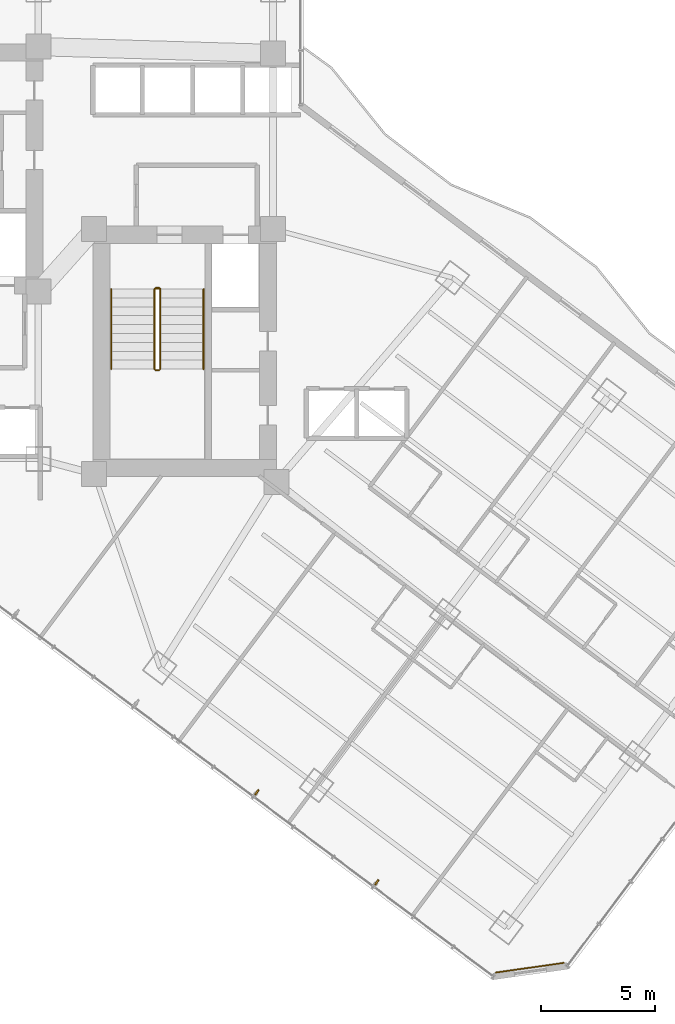
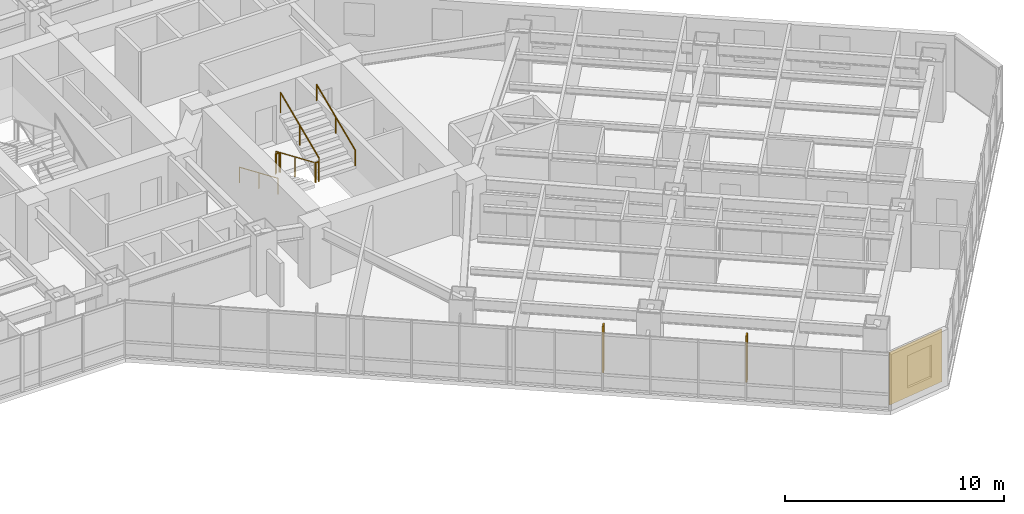
# One storey, part 35 of 38: 7 railings, 2 shading devices, 1 covering.
"""IFC4 building model written with IfcOpenShell, lengths in metres."""

import ifcopenshell
import ifcopenshell.guid

model = None  # the IFC model being written
_history = None  # IfcOwnerHistory: only IFC2X3 demands one
_inside = {}  # id of a spatial element -> (the spatial element, [elements in it])
_under = {}  # id of a project, library or spatial element -> (it, [spatial elements below it])
_declared = {}  # id of a project -> (the project, [libraries it declares])
_typed = {}  # id of a type object -> (the type object, [elements of that type])
_made_of = {}  # id of a material, layer set ... -> (it, [elements and type objects made of it])


def new_model(schema):
    """Start an empty IFC model of exactly this schema.

    Asked for "IFC4X3", IfcOpenShell would pick the latest addendum, in which some entities
    have other attributes; the version numbers below select the first issue.
    IFC2X3 requires an IfcOwnerHistory on every rooted entity: one is made here for all.
    """
    global model, _history
    if schema == "IFC4X3":
        model = ifcopenshell.file(schema_version=(4, 3, 0, 0))
    else:
        model = ifcopenshell.file(schema=schema)
    _inside.clear()
    _under.clear()
    _declared.clear()
    _typed.clear()
    _made_of.clear()
    _history = None
    if model.schema == "IFC2X3":
        org = make("IfcOrganization", Name="unknown")
        user = make(
            "IfcPersonAndOrganization",
            ThePerson=make("IfcPerson", FamilyName="unknown"),
            TheOrganization=org,
        )
        app = make(
            "IfcApplication",
            ApplicationDeveloper=org,
            Version="unknown",
            ApplicationFullName="unknown",
            ApplicationIdentifier="unknown",
        )
        _history = make(
            "IfcOwnerHistory",
            OwningUser=user,
            OwningApplication=app,
            ChangeAction="ADDED",
            CreationDate=0,
        )
    return model


def make(cls, **values):
    """One entity of the class cls with the attributes given. An attribute that is None is left unset."""
    return model.create_entity(
        cls, **{name: value for name, value in values.items() if value is not None}
    )


def rooted(cls, **values):
    """An entity with a GlobalId (a new one), such as an element, a storey or a relation."""
    return make(cls, GlobalId=ifcopenshell.guid.new(), OwnerHistory=_history, **values)


def si_unit(unit_type, name, prefix=None):
    """IfcSIUnit, for example si_unit("LENGTHUNIT", "METRE", prefix="MILLI")."""
    return make("IfcSIUnit", UnitType=unit_type, Prefix=prefix, Name=name)


def assignment(units):
    """IfcUnitAssignment: the units of a project."""
    return None if units is None else make("IfcUnitAssignment", Units=units)


def point(xyz):
    """IfcCartesianPoint."""
    return None if xyz is None else make("IfcCartesianPoint", Coordinates=xyz)


def direction(xyz):
    """IfcDirection."""
    return None if xyz is None else make("IfcDirection", DirectionRatios=xyz)


def frame(location, z_axis=None, x_axis=None):
    """IfcAxis2Placement3D, a coordinate frame: its origin and axes. An axis left out is left unset."""
    return make(
        "IfcAxis2Placement3D",
        Location=point(location),
        Axis=direction(z_axis),
        RefDirection=direction(x_axis),
    )


def frame_2d(location, x_axis=None):
    """IfcAxis2Placement2D, a coordinate frame in the plane: its origin and x axis."""
    return make(
        "IfcAxis2Placement2D", Location=point(location), RefDirection=direction(x_axis)
    )


def origin():
    """The frame at (0, 0, 0) with its axes left unset."""
    return frame((0.0, 0.0, 0.0))


def origin_2d():
    """The frame at (0, 0) in the plane with its x axis left unset."""
    return frame_2d((0.0, 0.0))


def place(relative_to, where):
    """IfcLocalPlacement: puts the frame where relative to a parent placement (None: the world)."""
    return make(
        "IfcLocalPlacement", PlacementRelTo=relative_to, RelativePlacement=where
    )


def context(
    kind, dimensions, precision=None, world=None, true_north=None, identifier=None
):
    """IfcGeometricRepresentationContext, for example the 3D "Model" context."""
    return make(
        "IfcGeometricRepresentationContext",
        ContextIdentifier=identifier,
        ContextType=kind,
        CoordinateSpaceDimension=dimensions,
        Precision=precision,
        WorldCoordinateSystem=world,
        TrueNorth=true_north,
    )


def subcontext(parent, identifier, kind, view, scale=None):
    """IfcGeometricRepresentationSubContext, for example "Body" below "Model"."""
    return make(
        "IfcGeometricRepresentationSubContext",
        ContextIdentifier=identifier,
        ContextType=kind,
        ParentContext=parent,
        TargetScale=scale,
        TargetView=view,
    )


def project(units=None, contexts=None):
    """IfcProject with its units and contexts."""
    return rooted(
        "IfcProject",
        Name="project",
        RepresentationContexts=contexts,
        UnitsInContext=assignment(units),
    )


def spatial(cls, under=None, at=None, **own):
    """A site, building, storey or space (cls), placed at a placement, below another one or the project."""
    s = rooted(cls, ObjectPlacement=at, **own)
    if under is not None:
        _under.setdefault(under.id(), (under, []))[1].append(s)
    return s


def profile(cls, at=None, kind="AREA", **sizes):
    """A parametric profile (cls). Its sizes go by their IFC names, for example OverallWidth=200.0."""
    return make(cls, ProfileType=kind, Position=at, **sizes)


def rectangle(**sizes):
    """IfcRectangleProfileDef."""
    return profile("IfcRectangleProfileDef", **sizes)


def circle(**sizes):
    """IfcCircleProfileDef."""
    return profile("IfcCircleProfileDef", **sizes)


def extrude(swept, where, along, depth):
    """IfcExtrudedAreaSolid: the profile swept, set in the frame where, extruded along a direction by depth."""
    return make(
        "IfcExtrudedAreaSolid",
        SweptArea=swept,
        Position=where,
        ExtrudedDirection=direction(along),
        Depth=depth,
    )


def shape(context_of_items, identifier, shape_type, items):
    """IfcShapeRepresentation: the items that make up one representation, for example the "Body"."""
    return make(
        "IfcShapeRepresentation",
        ContextOfItems=context_of_items,
        RepresentationIdentifier=identifier,
        RepresentationType=shape_type,
        Items=items,
    )


def material(Name=None, Category=None):
    """IfcMaterial."""
    return make("IfcMaterial", Name=Name, Category=Category)


def layer(
    of_material, thickness, ventilated=None, Name=None, Category=None, Priority=None
):
    """IfcMaterialLayer: one layer of a wall or slab, of a material (None: an air gap)."""
    return make(
        "IfcMaterialLayer",
        Material=of_material,
        LayerThickness=thickness,
        IsVentilated=ventilated,
        Name=Name,
        Category=Category,
        Priority=Priority,
    )


def layer_set(layers, Name=None):
    """IfcMaterialLayerSet."""
    return make("IfcMaterialLayerSet", MaterialLayers=layers, LayerSetName=Name)


def made_of(thing, what):
    """Note that an element or type object is made of a material, layer set ...; save() writes the relation."""
    if what is not None:
        _made_of.setdefault(what.id(), (what, []))[1].append(thing)
    return thing


def type_object(cls, material=None, **own):
    """A type object (cls), such as IfcWallType, which elements share."""
    return made_of(rooted(cls, **own), material)


def element(
    cls,
    number,
    at=None,
    inside=None,
    cuts=None,
    type_object=None,
    material=None,
    context=None,
    identifier="Body",
    shape_type=None,
    held_by="IfcProductDefinitionShape",
    body=None,
    shapes=None,
    **own,
):
    """One element of the class cls, such as IfcWall. Its Tag is "e" and its number.

    at: its placement. inside: the storey or other place that contains it. cuts: it is an
    opening in that element (IfcRelVoidsElement). A single representation is given by context,
    identifier, shape_type and body (its items); several are given by shapes. held_by: the class
    of the entity that holds the representations. save() writes the other relations.
    """
    e = rooted(cls, Tag="e%d" % number, ObjectPlacement=at, **own)
    if body is not None:
        shapes = [shape(context, identifier, shape_type, body)]
    if shapes is not None:
        e.Representation = make(held_by, Representations=shapes)
    if inside is not None:
        _inside.setdefault(inside.id(), (inside, []))[1].append(e)
    if cuts is not None:
        rooted(
            "IfcRelVoidsElement", RelatingBuildingElement=cuts, RelatedOpeningElement=e
        )
    if type_object is not None:
        _typed.setdefault(type_object.id(), (type_object, []))[1].append(e)
    return made_of(e, material)


def aggregate(whole, parts):
    """IfcRelAggregates: a whole, such as a stair, and the parts it consists of."""
    return rooted("IfcRelAggregates", RelatingObject=whole, RelatedObjects=parts)


def save(model, path):
    """Write the relations noted so far, then the file.

    IfcRelAggregates (storeys below a building ...), IfcRelContainedInSpatialStructure (elements
    in a storey), IfcRelDefinesByType, IfcRelAssociatesMaterial and IfcRelDeclares: one each for
    every whole, place, type object, material and project.
    """
    for whole, parts in _under.values():
        aggregate(whole, parts)
    for where, things in _inside.values():
        rooted(
            "IfcRelContainedInSpatialStructure",
            RelatedElements=things,
            RelatingStructure=where,
        )
    for kind, things in _typed.values():
        rooted("IfcRelDefinesByType", RelatedObjects=things, RelatingType=kind)
    for what, things in _made_of.values():
        rooted("IfcRelAssociatesMaterial", RelatedObjects=things, RelatingMaterial=what)
    for by, libraries in _declared.values():
        rooted("IfcRelDeclares", RelatingContext=by, RelatedDefinitions=libraries)
    model.write(path)


model = new_model("IFC4")

# Units and contexts
model_context = context("Model", 3, precision=1e-05, world=origin(), true_north=direction((0.0, 1.0)))
body_context = subcontext(model_context, "Body", "Model", "MODEL_VIEW")
ifc_project = project(units=[si_unit("LENGTHUNIT", "METRE"), si_unit("AREAUNIT", "SQUARE_METRE"), si_unit("VOLUMEUNIT", "CUBIC_METRE"), si_unit("PLANEANGLEUNIT", "RADIAN"), si_unit("MASSUNIT", "GRAM", prefix="KILO")], contexts=[model_context])

# Site, building, storey
site_placement = place(None, origin())
site = spatial("IfcSite", under=ifc_project, at=site_placement, CompositionType="ELEMENT")
building_placement = place(site_placement, origin())
building = spatial("IfcBuilding", under=site, at=building_placement, Name="Hatsunagi Terrace Concourse", CompositionType="ELEMENT")
storey_placement = place(building_placement, frame((0.0, 0.0, 63.39990234375)))
storey = spatial("IfcBuildingStorey", under=building, at=storey_placement, Name="L16", CompositionType="ELEMENT", Elevation=63.39990234375)

# Railings
ifc_material_1 = material(Name="Stainless steel", Category="steel")
ifc_layer_1 = layer(ifc_material_1, 0.044921875)
ifc_layer_set_1 = layer_set([ifc_layer_1], Name="StairPitchHandrail_Tower2000")
railing_type_1 = type_object("IfcRailingType", Name="StairPitchHandrail_Tower2000", PredefinedType="HANDRAIL", material=ifc_layer_set_1)
railing_1_placement = place(storey_placement, frame((36.550048828125, 32.659912109375, 0.16748046875)))
element("IfcRailing", 1, at=railing_1_placement, inside=storey, type_object=railing_type_1, Name="L16 ST-B stair handrail 1", PredefinedType="HANDRAIL", context=body_context, shape_type="SweptSolid", body=[
    extrude(circle(Radius=0.02392578125, at=origin_2d()), frame((0.0, 0.0, 0.8759765625), z_axis=(0.0, -0.918834009242, 0.394644223904), x_axis=(1.0, 0.0, 0.0)), (0.0, 0.0, 1.0), 3.820068359375),
    extrude(circle(Radius=0.02099609375, at=origin_2d()), origin(), (0.0, 0.0, 1.0), 0.851806640625),
    extrude(circle(Radius=0.02099609375, at=origin_2d()), frame((0.0, -1.7548828125, 0.75390625)), (0.0, 0.0, 1.0), 0.851806640625),
    extrude(circle(Radius=0.02099609375, at=origin_2d()), frame((0.0, -3.510009765625, 1.507568359375)), (0.0, 0.0, 1.0), 0.851806640625),
])
railing_2_placement = place(storey_placement, frame((40.60009765625, 29.14990234375, 1.842529296875)))
element("IfcRailing", 2, at=railing_2_placement, inside=storey, type_object=railing_type_1, Name="L16 ST-B stair handrail 2", PredefinedType="HANDRAIL", context=body_context, shape_type="SweptSolid", body=[
    extrude(circle(Radius=0.02392578125, at=origin_2d()), frame((0.0, 0.0, 0.8759765625), z_axis=(0.0, 0.918834009242, 0.394644223904), x_axis=(-1.0, 0.0, 0.0)), (0.0, 0.0, 1.0), 3.820068359375),
    extrude(circle(Radius=0.02099609375, at=origin_2d()), origin(), (0.0, 0.0, 1.0), 0.851806640625),
    extrude(circle(Radius=0.02099609375, at=origin_2d()), frame((0.0, 1.7548828125, 0.75390625)), (0.0, 0.0, 1.0), 0.851806640625),
    extrude(circle(Radius=0.02099609375, at=origin_2d()), frame((0.0, 3.510009765625, 1.507568359375)), (0.0, 0.0, 1.0), 0.851806640625),
])
ifc_material_2 = material(Name="Stainless steel", Category="steel")
ifc_layer_2 = layer(ifc_material_2, 0.06005859375)
ifc_layer_set_2 = layer_set([ifc_layer_2], Name="StairWellGuard_Tower2000")
railing_type_2 = type_object("IfcRailingType", Name="StairWellGuard_Tower2000", PredefinedType="BALUSTRADE", material=ifc_layer_set_2)
railing_3_placement = place(storey_placement, frame((38.449951171875, 32.659912109375, 0.16748046875)))
element("IfcRailing", 3, at=railing_3_placement, inside=storey, type_object=railing_type_2, Name="L16 ST-B stair guard 1", PredefinedType="BALUSTRADE", context=body_context, shape_type="SweptSolid", body=[
    extrude(circle(Radius=0.02392578125, at=origin_2d()), frame((0.0, 0.0, 1.09619140625), z_axis=(0.0, -0.918834009242, 0.394644223904), x_axis=(1.0, 0.0, 0.0)), (0.0, 0.0, 1.0), 3.820068359375),
    extrude(circle(Radius=0.02099609375, at=origin_2d()), origin(), (0.0, 0.0, 1.0), 1.072021484375),
    extrude(circle(Radius=0.02099609375, at=origin_2d()), frame((0.0, -1.7548828125, 0.75390625)), (0.0, 0.0, 1.0), 1.072021484375),
    extrude(circle(Radius=0.02099609375, at=origin_2d()), frame((0.0, -3.510009765625, 1.507568359375)), (0.0, 0.0, 1.0), 1.072021484375),
])
railing_4_placement = place(storey_placement, frame((38.5, 29.10009765625, 1.675048828125)))
element("IfcRailing", 4, at=railing_4_placement, inside=storey, type_object=railing_type_2, Name="L16 ST-B stair guard 2", PredefinedType="BALUSTRADE", context=body_context, shape_type="SweptSolid", body=[
    extrude(circle(Radius=0.02392578125, at=origin_2d()), frame((0.0, 0.0, 1.09619140625), z_axis=(1.0, 0.0, 0.0), x_axis=(0.0, 1.0, 0.0)), (0.0, 0.0, 1.0), 0.14990234375),
    extrude(circle(Radius=0.02099609375, at=origin_2d()), origin(), (0.0, 0.0, 1.0), 1.072021484375),
    extrude(circle(Radius=0.02099609375, at=origin_2d()), frame((0.14990234375, 0.0, 0.0)), (0.0, 0.0, 1.0), 1.072021484375),
])
railing_5_placement = place(storey_placement, frame((38.699951171875, 29.14990234375, 1.842529296875)))
element("IfcRailing", 5, at=railing_5_placement, inside=storey, type_object=railing_type_2, Name="L16 ST-B stair guard 3", PredefinedType="BALUSTRADE", context=body_context, shape_type="SweptSolid", body=[
    extrude(circle(Radius=0.02392578125, at=origin_2d()), frame((0.0, 0.0, 1.09619140625), z_axis=(0.0, 0.918834009242, 0.394644223904), x_axis=(-1.0, 0.0, 0.0)), (0.0, 0.0, 1.0), 3.820068359375),
    extrude(circle(Radius=0.02099609375, at=origin_2d()), origin(), (0.0, 0.0, 1.0), 1.072021484375),
    extrude(circle(Radius=0.02099609375, at=origin_2d()), frame((0.0, 1.7548828125, 0.75390625)), (0.0, 0.0, 1.0), 1.072021484375),
    extrude(circle(Radius=0.02099609375, at=origin_2d()), frame((0.0, 3.510009765625, 1.507568359375)), (0.0, 0.0, 1.0), 1.072021484375),
])
railing_6_placement = place(storey_placement, frame((38.5, 32.7099609375, 0.0)))
element("IfcRailing", 6, at=railing_6_placement, inside=storey, type_object=railing_type_2, Name="L16 ST-B stair guard 4", PredefinedType="BALUSTRADE", context=body_context, shape_type="SweptSolid", body=[
    extrude(circle(Radius=0.02392578125, at=origin_2d()), frame((0.0, 0.0, 1.09619140625), z_axis=(1.0, 0.0, 0.0), x_axis=(0.0, 1.0, 0.0)), (0.0, 0.0, 1.0), 0.14990234375),
    extrude(circle(Radius=0.02099609375, at=origin_2d()), origin(), (0.0, 0.0, 1.0), 1.072021484375),
    extrude(circle(Radius=0.02099609375, at=origin_2d()), frame((0.14990234375, 0.0, 0.0)), (0.0, 0.0, 1.0), 1.072021484375),
])
ifc_material_3 = material(Name="Stainless Steel SUS316 Post-and-Rail Guard", Category="steel")
ifc_layer_3 = layer(ifc_material_3, 0.080078125)
ifc_layer_set_3 = layer_set([ifc_layer_3], Name="TerracePlantedGuardRail_1200")
railing_type_3 = type_object("IfcRailingType", Name="TerracePlantedGuardRail_1200", PredefinedType="GUARDRAIL", material=ifc_layer_set_3)
railing_7_placement = place(storey_placement, frame((38.449951171875, 32.679931640625, 0.0)))
element("IfcRailing", 7, at=railing_7_placement, inside=storey, type_object=railing_type_3, Name="Stair ST-B Well Closure Guard L16", PredefinedType="GUARDRAIL", context=body_context, shape_type="SweptSolid", body=[
    extrude(circle(Radius=0.02392578125, at=origin_2d()), frame((0.0, 0.0, 1.09619140625), z_axis=(1.0, 0.0, 0.0), x_axis=(0.0, 1.0, 0.0)), (0.0, 0.0, 1.0), 0.25),
    extrude(circle(Radius=0.02099609375, at=origin_2d()), origin(), (0.0, 0.0, 1.0), 1.072021484375),
    extrude(circle(Radius=0.02099609375, at=origin_2d()), frame((0.25, 0.0, 0.0)), (0.0, 0.0, 1.0), 1.072021484375),
])

# Shading devices
ifc_material_4 = material(Name="Extruded Unglazed Terracotta Baguette", Category="masonry")
shading_device_type = type_object("IfcShadingDeviceType", Name="TerracottaFinScreen_260x70", PredefinedType="USERDEFINED", material=ifc_material_4)
for number, where, z_axis, x_axis, name in (
    (8, (48.205078125, 6.634033203125, 0.85009765625), (0.0, 0.0, 1.0), (-0.800003116929, 0.599995844072, 0.0), "Terracotta Baguette Fin Screen SCR-01"),
    (9, (42.94091796875, 10.58203125, 0.85009765625), (0.0, 0.0, 1.0), (-0.800003116929, 0.599995844072, 0.0), "Terracotta Baguette Fin Screen SCR-01"),
):
    element("IfcShadingDevice", number, at=place(storey_placement, frame(where, z_axis=z_axis, x_axis=x_axis)), inside=storey, type_object=shading_device_type, Name=name, ObjectType="SUNSHADE", PredefinedType="USERDEFINED", context=body_context, shape_type="SweptSolid", body=[
        extrude(rectangle(XDim=0.070068359375, YDim=0.260009765625, at=origin_2d()), origin(), (0.0, 0.0, 1.0), 2.60009765625),
    ])

# Covering
ifc_material_5 = material(Name="Unglazed Warm Terracotta Rainscreen Tile", Category="masonry")
ifc_layer_4 = layer(ifc_material_5, 0.044921875)
ifc_layer_set_4 = layer_set([ifc_layer_4], Name="TerracottaRainscreenCladding_45")
covering_type = type_object("IfcCoveringType", Name="TerracottaRainscreenCladding_45", PredefinedType="CLADDING", material=ifc_layer_set_4)
covering_placement = place(storey_placement, frame((54.91796875, 2.87890625, 0.10009765625), z_axis=(0.0, 0.0, 1.0), x_axis=(-0.989973920543, -0.141250262458, 0.0)))
element("IfcCovering", 10, at=covering_placement, inside=storey, type_object=covering_type, Name="Terracotta Rainscreen Cladding L16-04", PredefinedType="CLADDING", context=body_context, shape_type="SweptSolid", body=[
    extrude(rectangle(XDim=3.0380859375, YDim=0.044921875, at=origin_2d()), origin(), (0.0, 0.0, 1.0), 2.929931640625),
])

save(model, "model.ifc")
